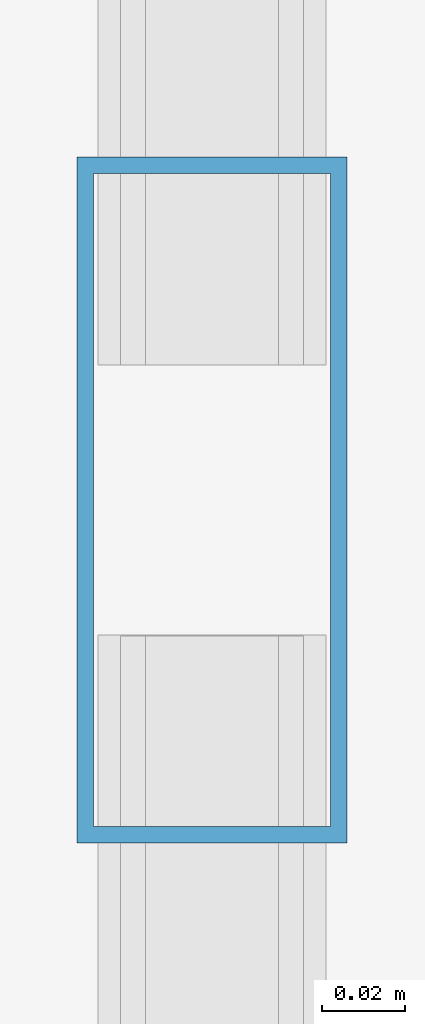
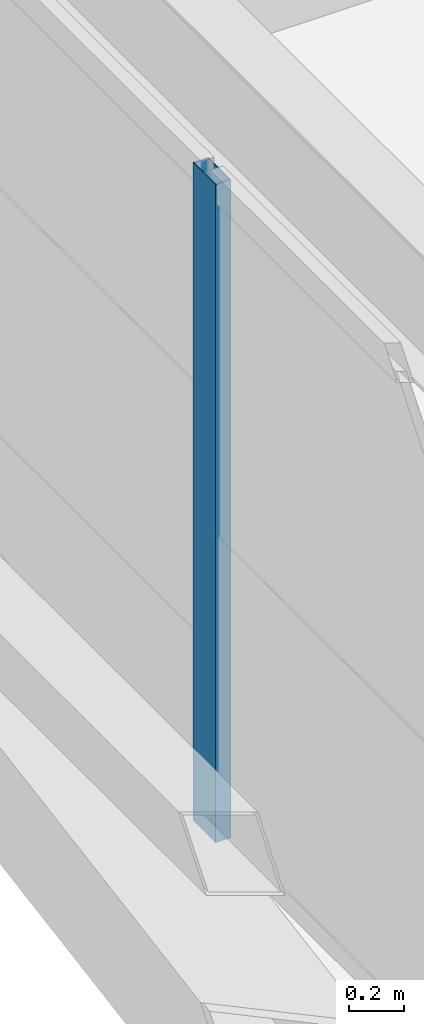
# One storey, part 16 of 59: 1 member, 1 element without a shape of its own.
"""IFC4 building model written with IfcOpenShell, lengths in metres."""

from ifc_helpers import new_model, si_unit, direction, frame, origin, origin_2d, place, context, subcontext, project, spatial, hollow_rectangle, extrude, source, transform, mapped, material, layer, layer_set, material_profile, profile_set, type_object, element, aggregate, save


model = new_model("IFC4")

# Units and contexts
model_context = context("Model", 3, precision=1e-05, world=origin(), true_north=direction((0.0, 1.0)))
body_context = subcontext(model_context, "Body", "Model", "MODEL_VIEW")
ifc_project = project(units=[si_unit("LENGTHUNIT", "METRE"), si_unit("AREAUNIT", "SQUARE_METRE"), si_unit("VOLUMEUNIT", "CUBIC_METRE"), si_unit("PLANEANGLEUNIT", "RADIAN"), si_unit("MASSUNIT", "GRAM", prefix="KILO")], contexts=[model_context])

# Site, building, storey
site_placement = place(None, origin())
site = spatial("IfcSite", under=ifc_project, at=site_placement, CompositionType="ELEMENT")
building_placement = place(site_placement, origin())
building = spatial("IfcBuilding", under=site, at=building_placement, Name="Taldren Reach Tower", CompositionType="ELEMENT")
storey_placement = place(building_placement, frame((0.0, 0.0, 26.25)))
storey = spatial("IfcBuildingStorey", under=building, at=storey_placement, Name="L07", CompositionType="ELEMENT", Elevation=26.25)

# Curtain wall, member
ifc_material_1 = material(Name="Aluminium and Low-E Glass Unitised System", Category="aluminium")
ifc_layer = layer(ifc_material_1, 0.159912109375)
ifc_layer_set = layer_set([ifc_layer], Name="Aluminium and Low-E Glass Unitised System")
curtain_wall_type = type_object("IfcCurtainWallType", Name="CW-SYS-2", PredefinedType="NOTDEFINED", material=ifc_layer_set)
curtain_wall_placement = place(storey_placement, origin())
curtain_wall = element("IfcCurtainWall", 1, at=curtain_wall_placement, inside=storey, type_object=curtain_wall_type, Name="Unitised curtain wall CW-L07-W", PredefinedType="NOTDEFINED")
ifc_material_2 = material(Name="Anodised Aluminium 6063-T6", Category="aluminium")
ifc_material_profile = material_profile(ifc_material_2, hollow_rectangle(XDim=0.06494140625, YDim=0.1650390625, WallThickness=0.00390625, at=origin_2d()), Name="ALU-165x65x4RHS")
ifc_profile_set = profile_set([ifc_material_profile], Name="Anodised Aluminium 6063-T6")
member_type = type_object("IfcMemberType", Name="CW-MUL-165", PredefinedType="MULLION", material=ifc_profile_set)
shared_shape = source(origin(), body_context, "Body", "SweptSolid", [
    extrude(hollow_rectangle(XDim=0.06494140625, YDim=0.1650390625, WallThickness=0.00390625, at=origin_2d()), origin(), (0.0, 0.0, 1.0), 2.929931640625),
])
member_placement = place(storey_placement, frame((5.139892578125, 25.166748046875, 0.0), z_axis=(0.0, 0.0, 1.0), x_axis=(1.0, 0.0, 0.0)))
member = element("IfcMember", 2, at=member_placement, type_object=member_type, Name="CW-2 mullion 4", PredefinedType="MULLION", context=body_context, shape_type="MappedRepresentation", body=[
    mapped(shared_shape, transform((0.0, 0.0, 0.0), scale=1.0)),
])
aggregate(curtain_wall, [member])

save(model, "model.ifc")
